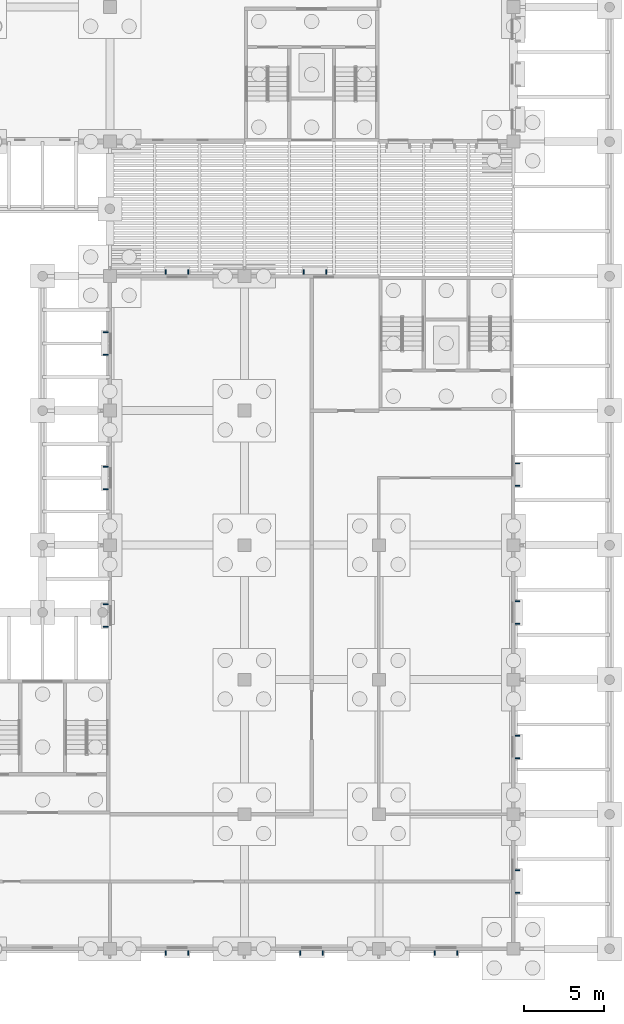
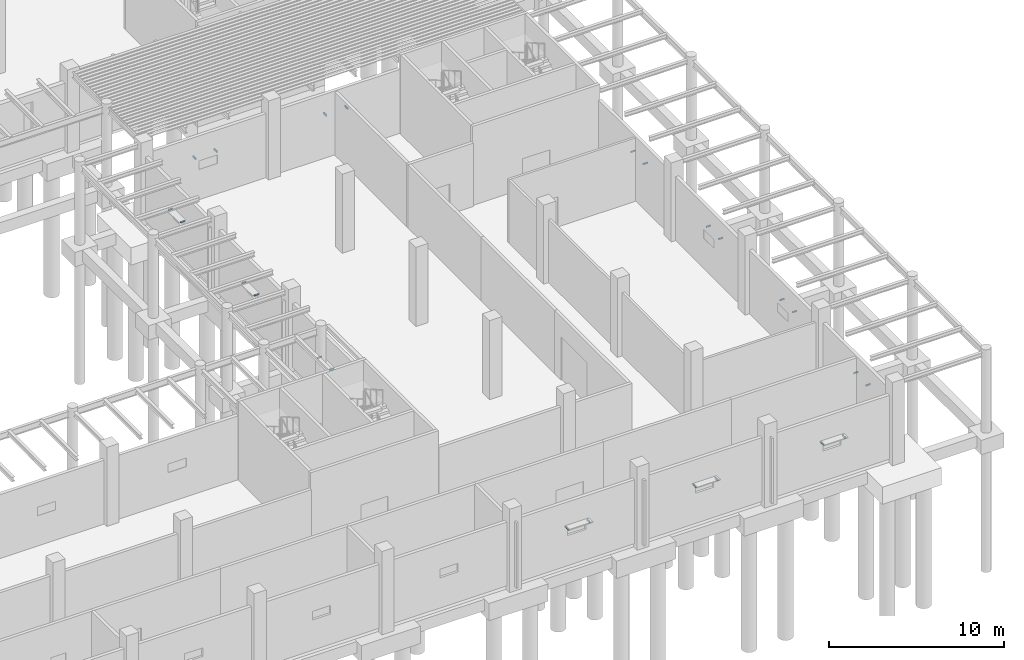
# One storey, part 52 of 82: 24 discrete accessories.
"""IFC4 building model written with IfcOpenShell, lengths in metres."""

from ifc_helpers import new_model, si_unit, direction, frame, origin, origin_2d, place, context, subcontext, project, spatial, rectangle, extrude, material, type_object, element, save


model = new_model("IFC4")

# Units and contexts
model_context = context("Model", 3, precision=1e-05, world=origin(), true_north=direction((0.0, 1.0)))
body_context = subcontext(model_context, "Body", "Model", "MODEL_VIEW")
ifc_project = project(units=[si_unit("LENGTHUNIT", "METRE"), si_unit("AREAUNIT", "SQUARE_METRE"), si_unit("VOLUMEUNIT", "CUBIC_METRE"), si_unit("PLANEANGLEUNIT", "RADIAN"), si_unit("MASSUNIT", "GRAM", prefix="KILO")], contexts=[model_context])

# Site, building, storey
site_placement = place(None, origin())
site = spatial("IfcSite", under=ifc_project, at=site_placement, CompositionType="ELEMENT")
building_placement = place(site_placement, origin())
building = spatial("IfcBuilding", under=site, at=building_placement, Name="Almond Square Museum", CompositionType="ELEMENT")
storey_placement = place(building_placement, origin())
storey = spatial("IfcBuildingStorey", under=building, at=storey_placement, Name="L00", CompositionType="ELEMENT", Elevation=0.0)

# Discrete accessories
ifc_material = material(Name="Stainless steel", Category="steel")
discrete_accessory_type = type_object("IfcDiscreteAccessoryType", Name="Sun-shade blade bracket", PredefinedType="BRACKET", material=ifc_material)
for number, where, z_axis, x_axis, name in (
    (1, (135.5, -0.258056640625, 2.697021484375), (0.0, 0.0, 1.0), (1.0, 0.0, 0.0), "Bracket sun-shade blade"),
    (2, (136.89990234375, -0.258056640625, 2.697021484375), (0.0, 0.0, 1.0), (1.0, 0.0, 0.0), "Bracket sun-shade blade"),
    (3, (143.89990234375, -0.258056640625, 2.697021484375), (0.0, 0.0, 1.0), (1.0, 0.0, 0.0), "Bracket sun-shade blade"),
    (4, (145.300048828125, -0.258056640625, 2.697021484375), (0.0, 0.0, 1.0), (1.0, 0.0, 0.0), "Bracket sun-shade blade"),
    (5, (152.300048828125, -0.258056640625, 2.697021484375), (0.0, 0.0, 1.0), (1.0, 0.0, 0.0), "Bracket sun-shade blade"),
    (6, (153.699951171875, -0.258056640625, 2.697021484375), (0.0, 0.0, 1.0), (1.0, 0.0, 0.0), "Bracket sun-shade blade"),
):
    element("IfcDiscreteAccessory", number, at=place(storey_placement, frame(where, z_axis=z_axis, x_axis=x_axis)), inside=storey, type_object=discrete_accessory_type, Name=name, PredefinedType="BRACKET", context=body_context, shape_type="SweptSolid", body=[
        extrude(rectangle(XDim=0.06005859375, YDim=0.300048828125, at=origin_2d()), origin(), (0.0, 0.0, 1.0), 0.10009765625),
    ])
for number, where, z_axis, x_axis, name in (
    (7, (157.4580078125, 3.5, 2.697021484375), (0.0, 0.0, 1.0), (1.0, 0.0, 0.0), "Bracket sun-shade blade"),
    (8, (157.4580078125, 4.89990234375, 2.697021484375), (0.0, 0.0, 1.0), (1.0, 0.0, 0.0), "Bracket sun-shade blade"),
    (9, (157.4580078125, 11.89990234375, 2.697021484375), (0.0, 0.0, 1.0), (1.0, 0.0, 0.0), "Bracket sun-shade blade"),
    (10, (157.4580078125, 13.300048828125, 2.697021484375), (0.0, 0.0, 1.0), (1.0, 0.0, 0.0), "Bracket sun-shade blade"),
    (11, (157.4580078125, 20.300048828125, 2.697021484375), (0.0, 0.0, 1.0), (1.0, 0.0, 0.0), "Bracket sun-shade blade"),
    (12, (157.4580078125, 21.699951171875, 2.697021484375), (0.0, 0.0, 1.0), (1.0, 0.0, 0.0), "Bracket sun-shade blade"),
    (13, (157.4580078125, 28.89990234375, 2.697021484375), (0.0, 0.0, 1.0), (1.0, 0.0, 0.0), "Bracket sun-shade blade"),
    (14, (157.4580078125, 30.300048828125, 2.697021484375), (0.0, 0.0, 1.0), (1.0, 0.0, 0.0), "Bracket sun-shade blade"),
):
    element("IfcDiscreteAccessory", number, at=place(storey_placement, frame(where, z_axis=z_axis, x_axis=x_axis)), inside=storey, type_object=discrete_accessory_type, Name=name, PredefinedType="BRACKET", context=body_context, shape_type="SweptSolid", body=[
        extrude(rectangle(XDim=0.300048828125, YDim=0.06005859375, at=origin_2d()), origin(), (0.0, 0.0, 1.0), 0.10009765625),
    ])
for number, where, z_axis, x_axis, name in (
    (15, (144.10009765625, 42.258056640625, 2.697021484375), (0.0, 0.0, 1.0), (1.0, 0.0, 0.0), "Bracket sun-shade blade"),
    (16, (145.5, 42.258056640625, 2.697021484375), (0.0, 0.0, 1.0), (1.0, 0.0, 0.0), "Bracket sun-shade blade"),
    (17, (135.5, 42.258056640625, 2.697021484375), (0.0, 0.0, 1.0), (1.0, 0.0, 0.0), "Bracket sun-shade blade"),
    (18, (136.89990234375, 42.258056640625, 2.697021484375), (0.0, 0.0, 1.0), (1.0, 0.0, 0.0), "Bracket sun-shade blade"),
):
    element("IfcDiscreteAccessory", number, at=place(storey_placement, frame(where, z_axis=z_axis, x_axis=x_axis)), inside=storey, type_object=discrete_accessory_type, Name=name, PredefinedType="BRACKET", context=body_context, shape_type="SweptSolid", body=[
        extrude(rectangle(XDim=0.06005859375, YDim=0.300048828125, at=origin_2d()), origin(), (0.0, 0.0, 1.0), 0.10009765625),
    ])
for number, where, z_axis, x_axis, name in (
    (19, (131.741943359375, 37.10009765625, 2.697021484375), (0.0, 0.0, 1.0), (1.0, 0.0, 0.0), "Bracket sun-shade blade"),
    (20, (131.741943359375, 38.5, 2.697021484375), (0.0, 0.0, 1.0), (1.0, 0.0, 0.0), "Bracket sun-shade blade"),
    (21, (131.741943359375, 28.699951171875, 2.697021484375), (0.0, 0.0, 1.0), (1.0, 0.0, 0.0), "Bracket sun-shade blade"),
    (22, (131.741943359375, 30.10009765625, 2.697021484375), (0.0, 0.0, 1.0), (1.0, 0.0, 0.0), "Bracket sun-shade blade"),
    (23, (131.741943359375, 20.10009765625, 2.697021484375), (0.0, 0.0, 1.0), (1.0, 0.0, 0.0), "Bracket sun-shade blade"),
    (24, (131.741943359375, 21.5, 2.697021484375), (0.0, 0.0, 1.0), (1.0, 0.0, 0.0), "Bracket sun-shade blade"),
):
    element("IfcDiscreteAccessory", number, at=place(storey_placement, frame(where, z_axis=z_axis, x_axis=x_axis)), inside=storey, type_object=discrete_accessory_type, Name=name, PredefinedType="BRACKET", context=body_context, shape_type="SweptSolid", body=[
        extrude(rectangle(XDim=0.300048828125, YDim=0.06005859375, at=origin_2d()), origin(), (0.0, 0.0, 1.0), 0.10009765625),
    ])

save(model, "model.ifc")
